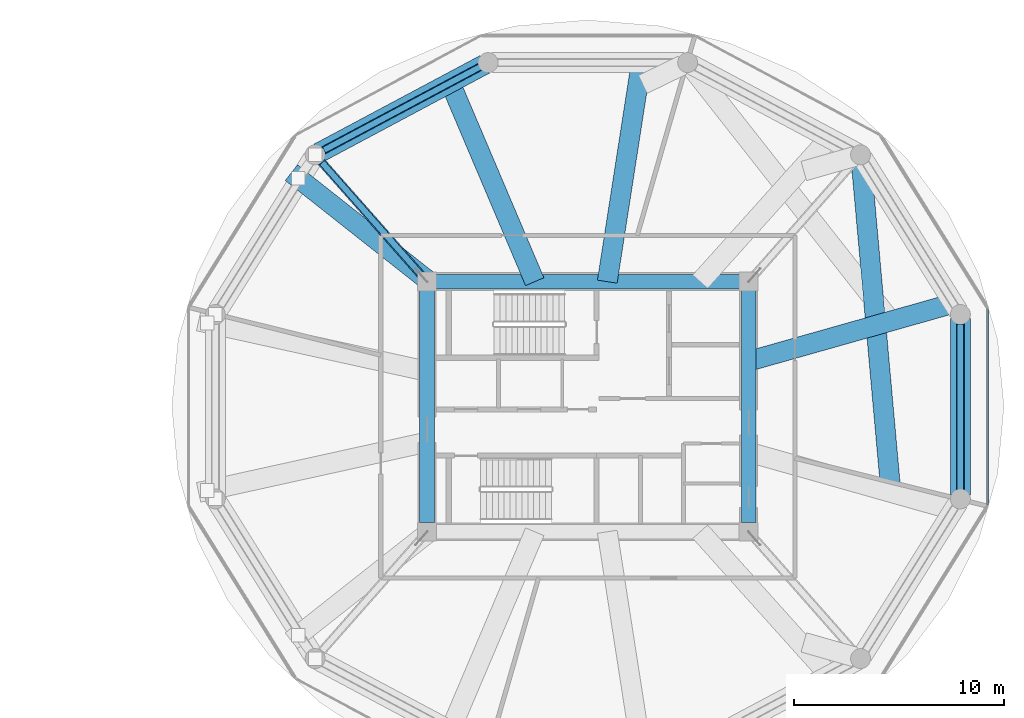
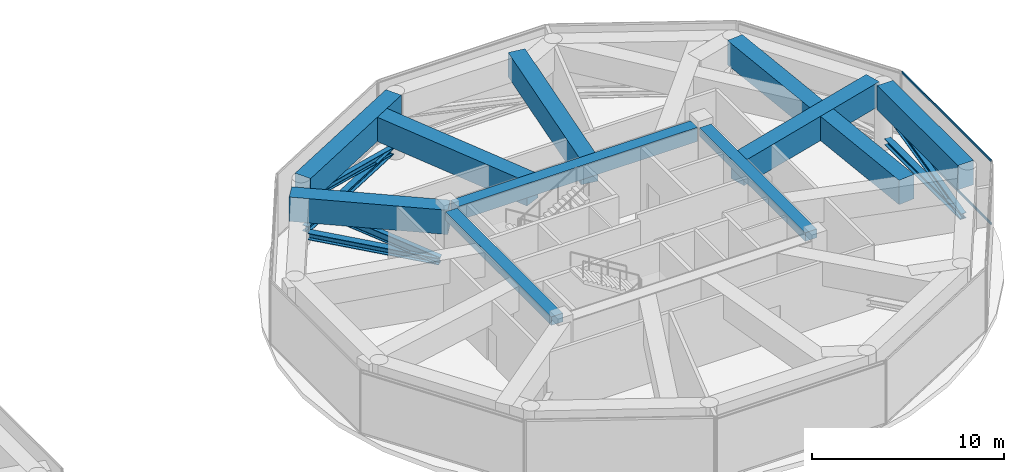
# One storey, part 11 of 22: 10 beams, 8 members, 1 element without a shape of its own.
"""IFC4 building model written with IfcOpenShell, lengths in metres."""

import ifcopenshell
import ifcopenshell.guid

model = None  # the IFC model being written
_history = None  # IfcOwnerHistory: only IFC2X3 demands one
_inside = {}  # id of a spatial element -> (the spatial element, [elements in it])
_under = {}  # id of a project, library or spatial element -> (it, [spatial elements below it])
_declared = {}  # id of a project -> (the project, [libraries it declares])
_typed = {}  # id of a type object -> (the type object, [elements of that type])
_made_of = {}  # id of a material, layer set ... -> (it, [elements and type objects made of it])


def new_model(schema):
    """Start an empty IFC model of exactly this schema.

    Asked for "IFC4X3", IfcOpenShell would pick the latest addendum, in which some entities
    have other attributes; the version numbers below select the first issue.
    IFC2X3 requires an IfcOwnerHistory on every rooted entity: one is made here for all.
    """
    global model, _history
    if schema == "IFC4X3":
        model = ifcopenshell.file(schema_version=(4, 3, 0, 0))
    else:
        model = ifcopenshell.file(schema=schema)
    _inside.clear()
    _under.clear()
    _declared.clear()
    _typed.clear()
    _made_of.clear()
    _history = None
    if model.schema == "IFC2X3":
        org = make("IfcOrganization", Name="unknown")
        user = make(
            "IfcPersonAndOrganization",
            ThePerson=make("IfcPerson", FamilyName="unknown"),
            TheOrganization=org,
        )
        app = make(
            "IfcApplication",
            ApplicationDeveloper=org,
            Version="unknown",
            ApplicationFullName="unknown",
            ApplicationIdentifier="unknown",
        )
        _history = make(
            "IfcOwnerHistory",
            OwningUser=user,
            OwningApplication=app,
            ChangeAction="ADDED",
            CreationDate=0,
        )
    return model


def make(cls, **values):
    """One entity of the class cls with the attributes given. An attribute that is None is left unset."""
    return model.create_entity(
        cls, **{name: value for name, value in values.items() if value is not None}
    )


def rooted(cls, **values):
    """An entity with a GlobalId (a new one), such as an element, a storey or a relation."""
    return make(cls, GlobalId=ifcopenshell.guid.new(), OwnerHistory=_history, **values)


def si_unit(unit_type, name, prefix=None):
    """IfcSIUnit, for example si_unit("LENGTHUNIT", "METRE", prefix="MILLI")."""
    return make("IfcSIUnit", UnitType=unit_type, Prefix=prefix, Name=name)


def assignment(units):
    """IfcUnitAssignment: the units of a project."""
    return None if units is None else make("IfcUnitAssignment", Units=units)


def point(xyz):
    """IfcCartesianPoint."""
    return None if xyz is None else make("IfcCartesianPoint", Coordinates=xyz)


def direction(xyz):
    """IfcDirection."""
    return None if xyz is None else make("IfcDirection", DirectionRatios=xyz)


def frame(location, z_axis=None, x_axis=None):
    """IfcAxis2Placement3D, a coordinate frame: its origin and axes. An axis left out is left unset."""
    return make(
        "IfcAxis2Placement3D",
        Location=point(location),
        Axis=direction(z_axis),
        RefDirection=direction(x_axis),
    )


def frame_2d(location, x_axis=None):
    """IfcAxis2Placement2D, a coordinate frame in the plane: its origin and x axis."""
    return make(
        "IfcAxis2Placement2D", Location=point(location), RefDirection=direction(x_axis)
    )


def origin():
    """The frame at (0, 0, 0) with its axes left unset."""
    return frame((0.0, 0.0, 0.0))


def origin_2d():
    """The frame at (0, 0) in the plane with its x axis left unset."""
    return frame_2d((0.0, 0.0))


def place(relative_to, where):
    """IfcLocalPlacement: puts the frame where relative to a parent placement (None: the world)."""
    return make(
        "IfcLocalPlacement", PlacementRelTo=relative_to, RelativePlacement=where
    )


def context(
    kind, dimensions, precision=None, world=None, true_north=None, identifier=None
):
    """IfcGeometricRepresentationContext, for example the 3D "Model" context."""
    return make(
        "IfcGeometricRepresentationContext",
        ContextIdentifier=identifier,
        ContextType=kind,
        CoordinateSpaceDimension=dimensions,
        Precision=precision,
        WorldCoordinateSystem=world,
        TrueNorth=true_north,
    )


def subcontext(parent, identifier, kind, view, scale=None):
    """IfcGeometricRepresentationSubContext, for example "Body" below "Model"."""
    return make(
        "IfcGeometricRepresentationSubContext",
        ContextIdentifier=identifier,
        ContextType=kind,
        ParentContext=parent,
        TargetScale=scale,
        TargetView=view,
    )


def project(units=None, contexts=None):
    """IfcProject with its units and contexts."""
    return rooted(
        "IfcProject",
        Name="project",
        RepresentationContexts=contexts,
        UnitsInContext=assignment(units),
    )


def spatial(cls, under=None, at=None, **own):
    """A site, building, storey or space (cls), placed at a placement, below another one or the project."""
    s = rooted(cls, ObjectPlacement=at, **own)
    if under is not None:
        _under.setdefault(under.id(), (under, []))[1].append(s)
    return s


def profile(cls, at=None, kind="AREA", **sizes):
    """A parametric profile (cls). Its sizes go by their IFC names, for example OverallWidth=200.0."""
    return make(cls, ProfileType=kind, Position=at, **sizes)


def rectangle(**sizes):
    """IfcRectangleProfileDef."""
    return profile("IfcRectangleProfileDef", **sizes)


def i_section(**sizes):
    """IfcIShapeProfileDef."""
    return profile("IfcIShapeProfileDef", **sizes)


def extrude(swept, where, along, depth):
    """IfcExtrudedAreaSolid: the profile swept, set in the frame where, extruded along a direction by depth."""
    return make(
        "IfcExtrudedAreaSolid",
        SweptArea=swept,
        Position=where,
        ExtrudedDirection=direction(along),
        Depth=depth,
    )


def shape(context_of_items, identifier, shape_type, items):
    """IfcShapeRepresentation: the items that make up one representation, for example the "Body"."""
    return make(
        "IfcShapeRepresentation",
        ContextOfItems=context_of_items,
        RepresentationIdentifier=identifier,
        RepresentationType=shape_type,
        Items=items,
    )


def source(mapping_origin, context_of_items, identifier, shape_type, items):
    """IfcRepresentationMap: a shape defined once, which mapped items show again and again."""
    return make(
        "IfcRepresentationMap",
        MappingOrigin=mapping_origin,
        MappedRepresentation=shape(context_of_items, identifier, shape_type, items),
    )


def transform(
    local_origin,
    x_axis=None,
    y_axis=None,
    z_axis=None,
    scale=None,
    scale2=None,
    scale3=None,
    uniform=True,
):
    """IfcCartesianTransformationOperator3D, or its non-uniform kind. x_axis, y_axis, z_axis: its Axis1, 2, 3."""
    if uniform:
        return make(
            "IfcCartesianTransformationOperator3D",
            Axis1=direction(x_axis),
            Axis2=direction(y_axis),
            LocalOrigin=point(local_origin),
            Scale=scale,
            Axis3=direction(z_axis),
        )
    return make(
        "IfcCartesianTransformationOperator3DnonUniform",
        Axis1=direction(x_axis),
        Axis2=direction(y_axis),
        LocalOrigin=point(local_origin),
        Scale=scale,
        Axis3=direction(z_axis),
        Scale2=scale2,
        Scale3=scale3,
    )


def mapped(mapping_source, mapping_target):
    """IfcMappedItem: shows the shape of a source again, moved by a transform."""
    return make(
        "IfcMappedItem", MappingSource=mapping_source, MappingTarget=mapping_target
    )


def material(Name=None, Category=None):
    """IfcMaterial."""
    return make("IfcMaterial", Name=Name, Category=Category)


def layer(
    of_material, thickness, ventilated=None, Name=None, Category=None, Priority=None
):
    """IfcMaterialLayer: one layer of a wall or slab, of a material (None: an air gap)."""
    return make(
        "IfcMaterialLayer",
        Material=of_material,
        LayerThickness=thickness,
        IsVentilated=ventilated,
        Name=Name,
        Category=Category,
        Priority=Priority,
    )


def layer_set(layers, Name=None):
    """IfcMaterialLayerSet."""
    return make("IfcMaterialLayerSet", MaterialLayers=layers, LayerSetName=Name)


def material_profile(
    of_material, cross_section, Name=None, Category=None, Priority=None
):
    """IfcMaterialProfile: a cross section and its material."""
    return make(
        "IfcMaterialProfile",
        Name=Name,
        Material=of_material,
        Profile=cross_section,
        Priority=Priority,
        Category=Category,
    )


def profile_set(profiles, Name=None, composite=None):
    """IfcMaterialProfileSet."""
    return make(
        "IfcMaterialProfileSet",
        Name=Name,
        MaterialProfiles=profiles,
        CompositeProfile=composite,
    )


def made_of(thing, what):
    """Note that an element or type object is made of a material, layer set ...; save() writes the relation."""
    if what is not None:
        _made_of.setdefault(what.id(), (what, []))[1].append(thing)
    return thing


def type_object(cls, material=None, **own):
    """A type object (cls), such as IfcWallType, which elements share."""
    return made_of(rooted(cls, **own), material)


def type_shapes(of_type, sources):
    """Give a type object the sources (RepresentationMaps) that its elements show as mapped items."""
    of_type.RepresentationMaps = sources


def element(
    cls,
    number,
    at=None,
    inside=None,
    cuts=None,
    type_object=None,
    material=None,
    context=None,
    identifier="Body",
    shape_type=None,
    held_by="IfcProductDefinitionShape",
    body=None,
    shapes=None,
    **own,
):
    """One element of the class cls, such as IfcWall. Its Tag is "e" and its number.

    at: its placement. inside: the storey or other place that contains it. cuts: it is an
    opening in that element (IfcRelVoidsElement). A single representation is given by context,
    identifier, shape_type and body (its items); several are given by shapes. held_by: the class
    of the entity that holds the representations. save() writes the other relations.
    """
    e = rooted(cls, Tag="e%d" % number, ObjectPlacement=at, **own)
    if body is not None:
        shapes = [shape(context, identifier, shape_type, body)]
    if shapes is not None:
        e.Representation = make(held_by, Representations=shapes)
    if inside is not None:
        _inside.setdefault(inside.id(), (inside, []))[1].append(e)
    if cuts is not None:
        rooted(
            "IfcRelVoidsElement", RelatingBuildingElement=cuts, RelatedOpeningElement=e
        )
    if type_object is not None:
        _typed.setdefault(type_object.id(), (type_object, []))[1].append(e)
    return made_of(e, material)


def aggregate(whole, parts):
    """IfcRelAggregates: a whole, such as a stair, and the parts it consists of."""
    return rooted("IfcRelAggregates", RelatingObject=whole, RelatedObjects=parts)


def save(model, path):
    """Write the relations noted so far, then the file.

    IfcRelAggregates (storeys below a building ...), IfcRelContainedInSpatialStructure (elements
    in a storey), IfcRelDefinesByType, IfcRelAssociatesMaterial and IfcRelDeclares: one each for
    every whole, place, type object, material and project.
    """
    for whole, parts in _under.values():
        aggregate(whole, parts)
    for where, things in _inside.values():
        rooted(
            "IfcRelContainedInSpatialStructure",
            RelatedElements=things,
            RelatingStructure=where,
        )
    for kind, things in _typed.values():
        rooted("IfcRelDefinesByType", RelatedObjects=things, RelatingType=kind)
    for what, things in _made_of.values():
        rooted("IfcRelAssociatesMaterial", RelatedObjects=things, RelatingMaterial=what)
    for by, libraries in _declared.values():
        rooted("IfcRelDeclares", RelatingContext=by, RelatedDefinitions=libraries)
    model.write(path)


model = new_model("IFC4")

# Units and contexts
model_context = context("Model", 3, precision=1e-05, world=origin(), true_north=direction((0.0, 1.0)))
body_context = subcontext(model_context, "Body", "Model", "MODEL_VIEW")
ifc_project = project(units=[si_unit("LENGTHUNIT", "METRE"), si_unit("AREAUNIT", "SQUARE_METRE"), si_unit("VOLUMEUNIT", "CUBIC_METRE"), si_unit("PLANEANGLEUNIT", "RADIAN"), si_unit("MASSUNIT", "GRAM", prefix="KILO")], contexts=[model_context])

# Site, building, storey
site_placement = place(None, origin())
site = spatial("IfcSite", under=ifc_project, at=site_placement, CompositionType="ELEMENT")
building_placement = place(site_placement, origin())
building = spatial("IfcBuilding", under=site, at=building_placement, Name="Norrkilde Senior Care Towers", CompositionType="ELEMENT")
storey_placement = place(building_placement, frame((0.0, 0.0, 73.449951171875)))
storey = spatial("IfcBuildingStorey", under=building, at=storey_placement, Name="L22", CompositionType="ELEMENT", Elevation=73.449951171875)

# Beams
ifc_material_1 = material(Name="Concrete C60/75", Category="concrete")
ifc_material_profile_1 = material_profile(ifc_material_1, rectangle(XDim=0.699951171875, YDim=0.89990234375, at=origin_2d()), Name="RC BM 700x900")
ifc_profile_set_1 = profile_set([ifc_material_profile_1], Name="Concrete C60/75")
beam_type_1 = type_object("IfcBeamType", Name="Core Coupling Girder 700x900", PredefinedType="USERDEFINED", material=ifc_profile_set_1)
shared_shape_1 = source(origin(), body_context, "Body", "SweptSolid", [
    extrude(rectangle(XDim=0.699951171875, YDim=0.89990234375, at=origin_2d()), origin(), (0.0, 0.0, 1.0), 14.43994140625),
])
type_shapes(beam_type_1, [shared_shape_1])
beam_1_placement = place(storey_placement, frame((20.780029296875, 5.949951171875, 3.630126953125), z_axis=(1.0, 0.0, 0.0), x_axis=(0.0, 1.0, 0.0)))
element("IfcBeam", 1, at=beam_1_placement, inside=storey, type_object=beam_type_1, Name="L22 Core E N Coupling Girder", ObjectType="GIRDER", PredefinedType="USERDEFINED", context=body_context, shape_type="MappedRepresentation", body=[
    mapped(shared_shape_1, transform((0.0, 0.0, 0.0), x_axis=(1.0, 0.0, 0.0), y_axis=(0.0, 1.0, 0.0), z_axis=(0.0, 0.0, 1.0), scale=1.0)),
])
ifc_material_profile_2 = material_profile(ifc_material_1, rectangle(XDim=0.699951171875, YDim=0.550048828125, at=origin_2d()), Name="RC BM 700x550")
ifc_profile_set_2 = profile_set([ifc_material_profile_2], Name="Concrete C60/75")
beam_type_2 = type_object("IfcBeamType", Name="Core Portal Coupling Beam 700x550", PredefinedType="USERDEFINED", material=ifc_profile_set_2)
shared_shape_2 = source(origin(), body_context, "Body", "SweptSolid", [
    extrude(rectangle(XDim=0.699951171875, YDim=0.550048828125, at=origin_2d()), origin(), (0.0, 0.0, 1.0), 11.0400390625),
])
type_shapes(beam_type_2, [shared_shape_2])
for number, where, z_axis, x_axis, name in (
    (2, (20.35009765625, -5.52001953125, 3.804931640625), (0.0, 1.0, 0.0), (-1.0, 0.0, 0.0), "L22 Core E W Coupling Girder"),
    (3, (35.64990234375, -5.52001953125, 3.804931640625), (0.0, 1.0, 0.0), (-1.0, 0.0, 0.0), "L22 Core E E Coupling Girder"),
):
    element("IfcBeam", number, at=place(storey_placement, frame(where, z_axis=z_axis, x_axis=x_axis)), inside=storey, type_object=beam_type_2, Name=name, ObjectType="GIRDER", PredefinedType="USERDEFINED", context=body_context, shape_type="MappedRepresentation", body=[
        mapped(shared_shape_2, transform((0.0, 0.0, 0.0), x_axis=(1.0, 0.0, 0.0), y_axis=(0.0, 1.0, 0.0), z_axis=(0.0, 0.0, 1.0), scale=1.0)),
    ])
ifc_material_profile_3 = material_profile(ifc_material_1, rectangle(XDim=0.949951171875, YDim=1.550048828125, at=origin_2d()), Name="RC TG 950x1550")
ifc_profile_set_3 = profile_set([ifc_material_profile_3], Name="Concrete C60/75")
beam_type_3 = type_object("IfcBeamType", Name="Transfer Girder Zone Shift 950x1550", PredefinedType="USERDEFINED", material=ifc_profile_set_3)
shared_shape_3 = source(origin(), body_context, "Body", "SweptSolid", [
    extrude(rectangle(XDim=0.949951171875, YDim=1.550048828125, at=origin_2d()), origin(), (0.0, 0.0, 1.0), 8.962890625),
])
beam_2_placement = place(storey_placement, frame((23.091796875, 16.287841796875, 3.304931640625), z_axis=(-0.882355957252, -0.470582580109, 0.0), x_axis=(0.470582580109, -0.882355957252, 0.0)))
element("IfcBeam", 4, at=beam_2_placement, inside=storey, type_object=beam_type_3, Name="L22 Drum E Zone Ring Transfer Girder 04", ObjectType="GIRDER", PredefinedType="USERDEFINED", context=body_context, shape_type="MappedRepresentation", body=[
    mapped(shared_shape_3, transform((0.0, 0.0, 0.0), x_axis=(1.0, 0.0, 0.0), y_axis=(0.0, 1.0, 0.0), z_axis=(0.0, 0.0, 1.0), scale=1.0)),
])
shared_shape_4 = source(origin(), body_context, "Body", "SweptSolid", [
    extrude(rectangle(XDim=0.949951171875, YDim=1.550048828125, at=origin_2d()), origin(), (0.0, 0.0, 1.0), 8.4140625),
])
beam_3_placement = place(storey_placement, frame((45.724853515625, -4.20703125, 3.304931640625), z_axis=(0.0, 1.0, 0.0), x_axis=(-1.0, 0.0, 0.0)))
element("IfcBeam", 5, at=beam_3_placement, inside=storey, type_object=beam_type_3, Name="L22 Drum E Zone Ring Transfer Girder 12", ObjectType="GIRDER", PredefinedType="USERDEFINED", context=body_context, shape_type="MappedRepresentation", body=[
    mapped(shared_shape_4, transform((0.0, 0.0, 0.0), x_axis=(1.0, 0.0, 0.0), y_axis=(0.0, 1.0, 0.0), z_axis=(0.0, 0.0, 1.0), scale=1.0)),
])
shared_shape_5 = source(origin(), body_context, "Body", "SweptSolid", [
    extrude(rectangle(XDim=0.949951171875, YDim=1.550048828125, at=origin_2d()), origin(), (0.0, 0.0, 1.0), 8.37060546875),
])
beam_4_placement = place(storey_placement, frame((20.463623046875, 5.949951171875, 3.304931640625), z_axis=(-0.784864847348, 0.619666984272, 0.0), x_axis=(-0.619666984272, -0.784864847348, 0.0)))
element("IfcBeam", 6, at=beam_4_placement, inside=storey, type_object=beam_type_3, Name="L22 Drum E Zone Transfer Girder 05", ObjectType="GIRDER", PredefinedType="USERDEFINED", context=body_context, shape_type="MappedRepresentation", body=[
    mapped(shared_shape_5, transform((0.0, 0.0, 0.0), x_axis=(1.0, 0.0, 0.0), y_axis=(0.0, 1.0, 0.0), z_axis=(0.0, 0.0, 1.0), scale=1.0)),
])
shared_shape_6 = source(origin(), body_context, "Body", "SweptSolid", [
    extrude(rectangle(XDim=0.949951171875, YDim=1.550048828125, at=origin_2d()), origin(), (0.0, 0.0, 1.0), 10.281982421875),
])
beam_5_placement = place(storey_placement, frame((25.472412109375, 5.949951171875, 3.304931640625), z_axis=(-0.391002869326, 0.920389458968, 0.0), x_axis=(-0.920389458968, -0.391002869326, 0.0)))
element("IfcBeam", 7, at=beam_5_placement, inside=storey, type_object=beam_type_3, Name="L22 Drum E Zone Transfer Girder 04", ObjectType="GIRDER", PredefinedType="USERDEFINED", context=body_context, shape_type="MappedRepresentation", body=[
    mapped(shared_shape_6, transform((0.0, 0.0, 0.0), x_axis=(1.0, 0.0, 0.0), y_axis=(0.0, 1.0, 0.0), z_axis=(0.0, 0.0, 1.0), scale=1.0)),
])
shared_shape_7 = source(origin(), body_context, "Body", "SweptSolid", [
    extrude(rectangle(XDim=0.949951171875, YDim=1.550048828125, at=origin_2d()), origin(), (0.0, 0.0, 1.0), 10.547607421875),
])
beam_6_placement = place(storey_placement, frame((28.924072265625, 5.949951171875, 3.304931640625), z_axis=(0.153485022833, 0.988150974176, 0.0), x_axis=(-0.988150974176, 0.153485022833, 0.0)))
element("IfcBeam", 8, at=beam_6_placement, inside=storey, type_object=beam_type_3, Name="L22 Drum E Zone Transfer Girder 03", ObjectType="GIRDER", PredefinedType="USERDEFINED", context=body_context, shape_type="MappedRepresentation", body=[
    mapped(shared_shape_7, transform((0.0, 0.0, 0.0), x_axis=(1.0, 0.0, 0.0), y_axis=(0.0, 1.0, 0.0), z_axis=(0.0, 0.0, 1.0), scale=1.0)),
])
shared_shape_8 = source(origin(), body_context, "Body", "SweptSolid", [
    extrude(rectangle(XDim=0.949951171875, YDim=1.550048828125, at=origin_2d()), origin(), (0.0, 0.0, 1.0), 10.125244140625),
])
beam_7_placement = place(storey_placement, frame((35.64990234375, 2.162841796875, 3.304931640625), z_axis=(0.962288137235, 0.272032242459, 0.0), x_axis=(-0.272032242459, 0.962288137235, 0.0)))
element("IfcBeam", 9, at=beam_7_placement, inside=storey, type_object=beam_type_3, Name="L22 Drum E Zone Transfer Girder 01", ObjectType="GIRDER", PredefinedType="USERDEFINED", context=body_context, shape_type="MappedRepresentation", body=[
    mapped(shared_shape_8, transform((0.0, 0.0, 0.0), x_axis=(1.0, 0.0, 0.0), y_axis=(0.0, 1.0, 0.0), z_axis=(0.0, 0.0, 1.0), scale=1.0)),
])
shared_shape_9 = source(origin(), body_context, "Body", "SweptSolid", [
    extrude(rectangle(XDim=0.949951171875, YDim=1.550048828125, at=origin_2d()), origin(), (0.0, 0.0, 1.0), 15.566650390625),
])
type_shapes(beam_type_3, [shared_shape_3, shared_shape_4, shared_shape_5, shared_shape_6, shared_shape_7, shared_shape_8, shared_shape_9])
beam_8_placement = place(storey_placement, frame((42.39404296875, -3.797607421875, 3.304931640625), z_axis=(-0.089521795142, 0.995984863436, 0.0), x_axis=(-0.995984863436, -0.089521795142, 0.0)))
element("IfcBeam", 10, at=beam_8_placement, inside=storey, type_object=beam_type_3, Name="L22 Drum E Zone Star Transfer Tie 12", ObjectType="GIRDER", PredefinedType="USERDEFINED", context=body_context, shape_type="MappedRepresentation", body=[
    mapped(shared_shape_9, transform((0.0, 0.0, 0.0), x_axis=(1.0, 0.0, 0.0), y_axis=(0.0, 1.0, 0.0), z_axis=(0.0, 0.0, 1.0), scale=1.0)),
])

# Members
ifc_material_2 = material(Name="Steel S355", Category="steel")
ifc_material_profile_4 = material_profile(ifc_material_2, i_section(OverallWidth=0.3740234375, OverallDepth=0.386962890625, WebThickness=0.01611328125, FlangeThickness=0.027099609375, FilletRadius=0.014892578125, at=origin_2d()), Name="HD 360x262")
ifc_profile_set_4 = profile_set([ifc_material_profile_4], Name="Steel S355")
member_type_1 = type_object("IfcMemberType", Name="Belt Truss Ring Chord HD360x262", PredefinedType="CHORD", material=ifc_profile_set_4)
shared_shape_10 = source(origin(), body_context, "Body", "SweptSolid", [
    extrude(i_section(OverallWidth=0.3740234375, OverallDepth=0.386962890625, WebThickness=0.01611328125, FlangeThickness=0.027099609375, FilletRadius=0.014892578125, at=origin_2d()), origin(), (0.0, 0.0, 1.0), 8.452880859375),
])
member_1_placement = place(storey_placement, frame((22.866943359375, 16.167724609375, 0.550048828125), z_axis=(-0.882368931134, -0.470558252898, 0.0), x_axis=(0.470558252898, -0.882368931134, 0.0)))
element("IfcMember", 11, at=member_1_placement, inside=storey, type_object=member_type_1, Name="L22 Drum E Belt Truss Bottom Chord 04", PredefinedType="CHORD", context=body_context, shape_type="MappedRepresentation", body=[
    mapped(shared_shape_10, transform((0.0, 0.0, 0.0), x_axis=(1.0, 0.0, 0.0), y_axis=(0.0, 1.0, 0.0), z_axis=(0.0, 0.0, 1.0), scale=1.0)),
])
ifc_material_profile_5 = material_profile(ifc_material_2, i_section(OverallWidth=0.300048828125, OverallDepth=0.39990234375, WebThickness=0.013427734375, FlangeThickness=0.02392578125, FilletRadius=0.027099609375, at=origin_2d()), Name="HEB 400")
ifc_profile_set_5 = profile_set([ifc_material_profile_5], Name="Steel S355")
member_type_2 = type_object("IfcMemberType", Name="Belt Truss Diagonal HEB400", PredefinedType="BRACE", material=ifc_profile_set_5)
shared_shape_11 = source(origin(), body_context, "Body", "SweptSolid", [
    extrude(i_section(OverallWidth=0.300048828125, OverallDepth=0.39990234375, WebThickness=0.013427734375, FlangeThickness=0.02392578125, FilletRadius=0.027099609375, at=origin_2d()), origin(), (0.0, 0.0, 1.0), 8.67041015625),
])
member_2_placement = place(storey_placement, frame((22.866943359375, 16.167724609375, 0.550048828125), z_axis=(-0.860232119374, -0.458752919438, 0.222590340545), x_axis=(0.470558252898, -0.882368931134, 0.0)))
element("IfcMember", 12, at=member_2_placement, inside=storey, type_object=member_type_2, Name="L22 Drum E Belt Truss Diagonal 04", PredefinedType="BRACE", context=body_context, shape_type="MappedRepresentation", body=[
    mapped(shared_shape_11, transform((0.0, 0.0, 0.0), x_axis=(1.0, 0.0, 0.0), y_axis=(0.0, 1.0, 0.0), z_axis=(0.0, 0.0, 1.0), scale=1.0)),
])
shared_shape_12 = source(origin(), body_context, "Body", "SweptSolid", [
    extrude(i_section(OverallWidth=0.3740234375, OverallDepth=0.386962890625, WebThickness=0.01611328125, FlangeThickness=0.027099609375, FilletRadius=0.014892578125, at=origin_2d()), origin(), (0.0, 0.0, 1.0), 7.90380859375),
])
type_shapes(member_type_1, [shared_shape_10, shared_shape_12])
member_3_placement = place(storey_placement, frame((45.724853515625, -3.951904296875, 0.550048828125), z_axis=(0.0, 1.0, 0.0), x_axis=(-1.0, 0.0, 0.0)))
element("IfcMember", 13, at=member_3_placement, inside=storey, type_object=member_type_1, Name="L22 Drum E Belt Truss Bottom Chord 12", PredefinedType="CHORD", context=body_context, shape_type="MappedRepresentation", body=[
    mapped(shared_shape_12, transform((0.0, 0.0, 0.0), x_axis=(1.0, 0.0, 0.0), y_axis=(0.0, 1.0, 0.0), z_axis=(0.0, 0.0, 1.0), scale=1.0)),
])
shared_shape_13 = source(origin(), body_context, "Body", "SweptSolid", [
    extrude(i_section(OverallWidth=0.300048828125, OverallDepth=0.39990234375, WebThickness=0.013427734375, FlangeThickness=0.02392578125, FilletRadius=0.027099609375, at=origin_2d()), origin(), (0.0, 0.0, 1.0), 8.135986328125),
])
type_shapes(member_type_2, [shared_shape_11, shared_shape_13])
member_4_placement = place(storey_placement, frame((45.724853515625, -3.951904296875, 0.550048828125), z_axis=(0.0, 0.971458808633, 0.237208311677), x_axis=(-1.0, 0.0, 0.0)))
element("IfcMember", 14, at=member_4_placement, inside=storey, type_object=member_type_2, Name="L22 Drum E Belt Truss Diagonal 12", PredefinedType="BRACE", context=body_context, shape_type="MappedRepresentation", body=[
    mapped(shared_shape_13, transform((0.0, 0.0, 0.0), x_axis=(1.0, 0.0, 0.0), y_axis=(0.0, 1.0, 0.0), z_axis=(0.0, 0.0, 1.0), scale=1.0)),
])
ifc_material_profile_6 = material_profile(ifc_material_2, i_section(OverallWidth=0.402099609375, OverallDepth=0.419921875, WebThickness=0.02001953125, FlangeThickness=0.032958984375, FilletRadius=0.014892578125, at=origin_2d()), Name="HD 400x347")
ifc_profile_set_6 = profile_set([ifc_material_profile_6], Name="Steel S355")
member_type_3 = type_object("IfcMemberType", Name="Outrigger Truss Chord HD400x347", PredefinedType="CHORD", material=ifc_profile_set_6)
shared_shape_14 = source(origin(), body_context, "Body", "SweptSolid", [
    extrude(i_section(OverallWidth=0.402099609375, OverallDepth=0.419921875, WebThickness=0.02001953125, FlangeThickness=0.032958984375, FilletRadius=0.014892578125, at=origin_2d()), origin(), (0.0, 0.0, 1.0), 7.203857421875),
])
type_shapes(member_type_3, [shared_shape_14])
member_5_placement = place(storey_placement, frame((20.07861328125, 6.25732421875, 0.550048828125), z_axis=(-0.661603702805, 0.74985367935, 0.0), x_axis=(-0.74985367935, -0.661603702805, 0.0)))
element("IfcMember", 15, at=member_5_placement, inside=storey, type_object=member_type_3, Name="L22 Drum E Outrigger Chord 4", PredefinedType="CHORD", context=body_context, shape_type="MappedRepresentation", body=[
    mapped(shared_shape_14, transform((0.0, 0.0, 0.0), x_axis=(1.0, 0.0, 0.0), y_axis=(0.0, 1.0, 0.0), z_axis=(0.0, 0.0, 1.0), scale=1.0)),
])
ifc_material_profile_7 = material_profile(ifc_material_2, i_section(OverallWidth=0.300048828125, OverallDepth=0.5, WebThickness=0.014404296875, FlangeThickness=0.028076171875, FilletRadius=0.027099609375, at=origin_2d()), Name="HEB 500")
ifc_profile_set_7 = profile_set([ifc_material_profile_7], Name="Steel S355")
member_type_4 = type_object("IfcMemberType", Name="Outrigger Truss Diagonal HEB500", PredefinedType="BRACE", material=ifc_profile_set_7)
shared_shape_15 = source(origin(), body_context, "Body", "SweptSolid", [
    extrude(i_section(OverallWidth=0.300048828125, OverallDepth=0.5, WebThickness=0.014404296875, FlangeThickness=0.028076171875, FilletRadius=0.027099609375, at=origin_2d()), origin(), (0.0, 0.0, 1.0), 7.4580078125),
])
type_shapes(member_type_4, [shared_shape_15])
member_6_placement = place(storey_placement, frame((20.07861328125, 6.25732421875, 0.550048828125), z_axis=(-0.639067688082, 0.724311631314, 0.258776256239), x_axis=(-0.74985367935, -0.661603702805, 0.0)))
element("IfcMember", 16, at=member_6_placement, inside=storey, type_object=member_type_4, Name="L22 Drum E Outrigger Diagonal 4", PredefinedType="BRACE", context=body_context, shape_type="MappedRepresentation", body=[
    mapped(shared_shape_15, transform((0.0, 0.0, 0.0), x_axis=(1.0, 0.0, 0.0), y_axis=(0.0, 1.0, 0.0), z_axis=(0.0, 0.0, 1.0), scale=1.0)),
])

# Curtain wall, members
ifc_material_3 = material(Name="Triple Low-E Insulated Glazing", Category="glass")
ifc_layer = layer(ifc_material_3, 0.18505859375)
ifc_layer_set = layer_set([ifc_layer], Name="Triple Low-E Insulated Glazing")
curtain_wall_type = type_object("IfcCurtainWallType", Name="CW6 Zone 4 Crown Pavilion Curtain Wall", PredefinedType="NOTDEFINED", material=ifc_layer_set)
curtain_wall_placement = place(storey_placement, origin())
curtain_wall = element("IfcCurtainWall", 17, at=curtain_wall_placement, inside=storey, type_object=curtain_wall_type, Name="L22 Drum E Curtain Wall 11", PredefinedType="NOTDEFINED")
ifc_material_4 = material(Name="Anodised Aluminium", Category="aluminium")
ifc_material_profile_8 = material_profile(ifc_material_4, rectangle(XDim=0.06494140625, YDim=0.1298828125, at=origin_2d()), Name="ALU TRAN 65x130")
ifc_profile_set_8 = profile_set([ifc_material_profile_8], Name="Anodised Aluminium")
member_type_5 = type_object("IfcMemberType", Name="Curtain Wall Transom Heavy 65x130", PredefinedType="USERDEFINED", material=ifc_profile_set_8)
shared_shape_16 = source(origin(), body_context, "Body", "SweptSolid", [
    extrude(rectangle(XDim=0.06494140625, YDim=0.1298828125, at=origin_2d()), origin(), (0.0, 0.0, 1.0), 9.322265625),
])
type_shapes(member_type_5, [shared_shape_16])
member_7_placement = place(storey_placement, frame((47.009521484375, 4.6611328125, 0.032470703125), z_axis=(0.0, -1.0, 0.0), x_axis=(1.0, 0.0, 0.0)))
member_7 = element("IfcMember", 18, at=member_7_placement, type_object=member_type_5, Name="CW-6 transom 1.1", ObjectType="TRANSOM", PredefinedType="USERDEFINED", context=body_context, shape_type="MappedRepresentation", body=[
    mapped(shared_shape_16, transform((0.0, 0.0, 0.0), x_axis=(1.0, 0.0, 0.0), y_axis=(0.0, 1.0, 0.0), z_axis=(0.0, 0.0, 1.0), scale=1.0)),
])
member_8_placement = place(storey_placement, frame((47.009521484375, 4.6611328125, 4.047607421875), z_axis=(0.0, -1.0, 0.0), x_axis=(1.0, 0.0, 0.0)))
member_8 = element("IfcMember", 19, at=member_8_placement, type_object=member_type_5, Name="CW-6 transom 1.2", ObjectType="TRANSOM", PredefinedType="USERDEFINED", context=body_context, shape_type="MappedRepresentation", body=[
    mapped(shared_shape_16, transform((0.0, 0.0, 0.0), x_axis=(1.0, 0.0, 0.0), y_axis=(0.0, 1.0, 0.0), z_axis=(0.0, 0.0, 1.0), scale=1.0)),
])
aggregate(curtain_wall, [member_7, member_8])

save(model, "model.ifc")
